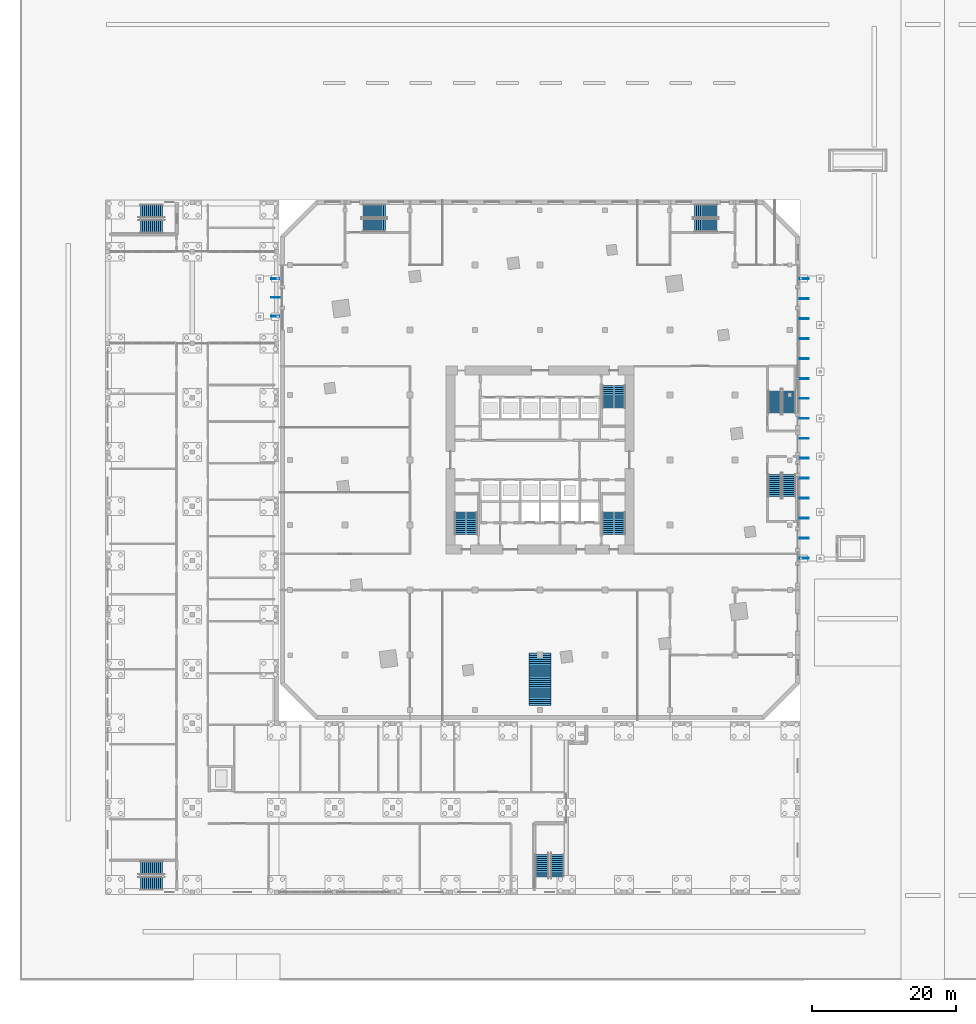
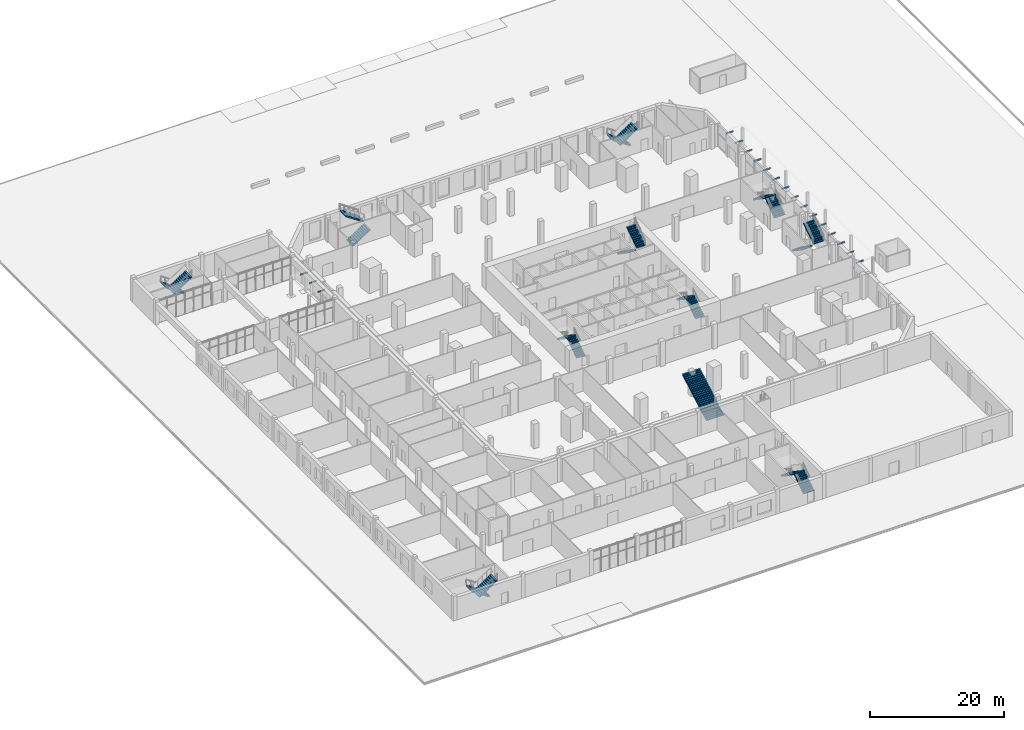
# One storey, part 34 of 42: 21 stair flights, 18 discrete accessories, 11 elements without a shape of their own.
"""IFC4 building model written with IfcOpenShell, lengths in metres."""

from ifc_helpers import new_model, si_unit, direction, frame, origin, origin_2d, place, context, subcontext, project, spatial, polyline, rectangle, outline, extrude, material, type_object, element, aggregate, save


model = new_model("IFC4")

# Units and contexts
model_context = context("Model", 3, precision=1e-05, world=origin(), true_north=direction((0.0, 1.0)))
body_context = subcontext(model_context, "Body", "Model", "MODEL_VIEW")
ifc_project = project(units=[si_unit("LENGTHUNIT", "METRE"), si_unit("AREAUNIT", "SQUARE_METRE"), si_unit("VOLUMEUNIT", "CUBIC_METRE"), si_unit("PLANEANGLEUNIT", "RADIAN"), si_unit("MASSUNIT", "GRAM", prefix="KILO")], contexts=[model_context])

# Site, building, storey
site_placement = place(None, origin())
site = spatial("IfcSite", under=ifc_project, at=site_placement, CompositionType="ELEMENT")
building_placement = place(site_placement, origin())
building = spatial("IfcBuilding", under=site, at=building_placement, Name="Dilmun Exchange Tower", CompositionType="ELEMENT")
storey_placement = place(building_placement, origin())
storey = spatial("IfcBuildingStorey", under=building, at=storey_placement, Name="L00", CompositionType="ELEMENT", Elevation=0.0)

# Stair, stair flights
ifc_material = material(Name="Concrete C40/50", Category="concrete")
stair_type_1 = type_object("IfcStairType", Name="Exit stair 1500 half-turn", PredefinedType="HALF_TURN_STAIR", material=ifc_material)
stair_1_placement = place(storey_placement, origin())
stair_1 = element("IfcStair", 1, at=stair_1_placement, inside=storey, type_object=stair_type_1, Name="L00 Protected exit stair ST1", PredefinedType="HALF_TURN_STAIR")
stair_flight_type_1 = type_object("IfcStairFlightType", Name="Exit stair flight 1500", PredefinedType="STRAIGHT", material=ifc_material)
stair_flight_1_placement = place(storey_placement, frame((9.39990234375, 10.300048828125, 0.0), z_axis=(0.0, 0.0, 1.0), x_axis=(0.0, -1.0, 0.0)))
stair_flight_1 = element("IfcStairFlight", 2, at=stair_flight_1_placement, type_object=stair_flight_type_1, Name="ST1 flight 1", NumberOfRisers=12, NumberOfTreads=11, PredefinedType="STRAIGHT", RiserHeight=0.1875, TreadLength=0.28, context=body_context, shape_type="SweptSolid", body=[
    extrude(outline(polyline([(0.0, 0.0), (0.0, 0.1875), (0.280029296875, 0.1875), (0.280029296875, 0.375), (0.56005859375, 0.375), (0.56005859375, 0.5625), (0.840087890625, 0.5625), (0.840087890625, 0.75), (1.1201171875, 0.75), (1.1201171875, 0.9375), (1.39990234375, 0.9375), (1.39990234375, 1.125), (1.679931640625, 1.125), (1.679931640625, 1.3125), (1.9599609375, 1.3125), (1.9599609375, 1.5), (2.239990234375, 1.5), (2.239990234375, 1.6875), (2.52001953125, 1.6875), (2.52001953125, 1.875), (2.800048828125, 1.875), (2.800048828125, 2.0625), (3.080078125, 2.0625), (3.080078125, 2.25), (3.080078125, 1.882080078125), (0.26953125, 0.0), (0.0, 0.0)])), frame((0.0, 0.75, 0.0), z_axis=(0.0, -1.0, 0.0), x_axis=(1.0, 0.0, 0.0)), (0.0, 0.0, 1.0), 1.5),
])
stair_flight_2_placement = place(storey_placement, frame((11.050048828125, 7.219970703125, 2.25), z_axis=(0.0, 0.0, 1.0), x_axis=(0.0, 1.0, 0.0)))
stair_flight_2 = element("IfcStairFlight", 3, at=stair_flight_2_placement, type_object=stair_flight_type_1, Name="ST1 flight 2", NumberOfRisers=12, NumberOfTreads=11, PredefinedType="STRAIGHT", RiserHeight=0.1875, TreadLength=0.28, context=body_context, shape_type="SweptSolid", body=[
    extrude(outline(polyline([(0.0, 0.0), (0.0, 0.1875), (0.280029296875, 0.1875), (0.280029296875, 0.375), (0.56005859375, 0.375), (0.56005859375, 0.5625), (0.840087890625, 0.5625), (0.840087890625, 0.75), (1.1201171875, 0.75), (1.1201171875, 0.9375), (1.39990234375, 0.9375), (1.39990234375, 1.125), (1.679931640625, 1.125), (1.679931640625, 1.3125), (1.9599609375, 1.3125), (1.9599609375, 1.5), (2.239990234375, 1.5), (2.239990234375, 1.6875), (2.52001953125, 1.6875), (2.52001953125, 1.875), (2.800048828125, 1.875), (2.800048828125, 2.0625), (3.080078125, 2.0625), (3.080078125, 2.25), (3.080078125, 1.882080078125), (0.26953125, 0.0), (0.0, 0.0)])), frame((0.0, 0.75, 0.0), z_axis=(0.0, -1.0, 0.0), x_axis=(1.0, 0.0, 0.0)), (0.0, 0.0, 1.0), 1.5),
])
aggregate(stair_1, [stair_flight_1, stair_flight_2])

stair_2_placement = place(storey_placement, origin())
stair_2 = element("IfcStair", 4, at=stair_2_placement, inside=storey, type_object=stair_type_1, Name="L00 Protected exit stair ST2", PredefinedType="HALF_TURN_STAIR")
stair_flight_3_placement = place(storey_placement, frame((-9.39990234375, -10.300048828125, 0.0), z_axis=(0.0, 0.0, 1.0), x_axis=(0.0, 1.0, 0.0)))
stair_flight_3 = element("IfcStairFlight", 5, at=stair_flight_3_placement, type_object=stair_flight_type_1, Name="ST2 flight 1", NumberOfRisers=12, NumberOfTreads=11, PredefinedType="STRAIGHT", RiserHeight=0.1875, TreadLength=0.28, context=body_context, shape_type="SweptSolid", body=[
    extrude(outline(polyline([(0.0, 0.0), (0.0, 0.1875), (0.280029296875, 0.1875), (0.280029296875, 0.375), (0.56005859375, 0.375), (0.56005859375, 0.5625), (0.840087890625, 0.5625), (0.840087890625, 0.75), (1.1201171875, 0.75), (1.1201171875, 0.9375), (1.39990234375, 0.9375), (1.39990234375, 1.125), (1.679931640625, 1.125), (1.679931640625, 1.3125), (1.9599609375, 1.3125), (1.9599609375, 1.5), (2.239990234375, 1.5), (2.239990234375, 1.6875), (2.52001953125, 1.6875), (2.52001953125, 1.875), (2.800048828125, 1.875), (2.800048828125, 2.0625), (3.080078125, 2.0625), (3.080078125, 2.25), (3.080078125, 1.882080078125), (0.26953125, 0.0), (0.0, 0.0)])), frame((0.0, 0.75, 0.0), z_axis=(0.0, -1.0, 0.0), x_axis=(1.0, 0.0, 0.0)), (0.0, 0.0, 1.0), 1.5),
])
stair_flight_4_placement = place(storey_placement, frame((-11.050048828125, -7.219970703125, 2.25), z_axis=(0.0, 0.0, 1.0), x_axis=(0.0, -1.0, 0.0)))
stair_flight_4 = element("IfcStairFlight", 6, at=stair_flight_4_placement, type_object=stair_flight_type_1, Name="ST2 flight 2", NumberOfRisers=12, NumberOfTreads=11, PredefinedType="STRAIGHT", RiserHeight=0.1875, TreadLength=0.28, context=body_context, shape_type="SweptSolid", body=[
    extrude(outline(polyline([(0.0, 0.0), (0.0, 0.1875), (0.280029296875, 0.1875), (0.280029296875, 0.375), (0.56005859375, 0.375), (0.56005859375, 0.5625), (0.840087890625, 0.5625), (0.840087890625, 0.75), (1.1201171875, 0.75), (1.1201171875, 0.9375), (1.39990234375, 0.9375), (1.39990234375, 1.125), (1.679931640625, 1.125), (1.679931640625, 1.3125), (1.9599609375, 1.3125), (1.9599609375, 1.5), (2.239990234375, 1.5), (2.239990234375, 1.6875), (2.52001953125, 1.6875), (2.52001953125, 1.875), (2.800048828125, 1.875), (2.800048828125, 2.0625), (3.080078125, 2.0625), (3.080078125, 2.25), (3.080078125, 1.882080078125), (0.26953125, 0.0), (0.0, 0.0)])), frame((0.0, 0.75, 0.0), z_axis=(0.0, -1.0, 0.0), x_axis=(1.0, 0.0, 0.0)), (0.0, 0.0, 1.0), 1.5),
])
aggregate(stair_2, [stair_flight_3, stair_flight_4])

stair_3_placement = place(storey_placement, origin())
stair_3 = element("IfcStair", 7, at=stair_3_placement, inside=storey, type_object=stair_type_1, Name="L00 Protected exit stair ST3", PredefinedType="HALF_TURN_STAIR")
stair_flight_5_placement = place(storey_placement, frame((11.050048828125, -10.300048828125, 0.0), z_axis=(0.0, 0.0, 1.0), x_axis=(0.0, 1.0, 0.0)))
stair_flight_5 = element("IfcStairFlight", 8, at=stair_flight_5_placement, type_object=stair_flight_type_1, Name="ST3 flight 1", NumberOfRisers=12, NumberOfTreads=11, PredefinedType="STRAIGHT", RiserHeight=0.1875, TreadLength=0.28, context=body_context, shape_type="SweptSolid", body=[
    extrude(outline(polyline([(0.0, 0.0), (0.0, 0.1875), (0.280029296875, 0.1875), (0.280029296875, 0.375), (0.56005859375, 0.375), (0.56005859375, 0.5625), (0.840087890625, 0.5625), (0.840087890625, 0.75), (1.1201171875, 0.75), (1.1201171875, 0.9375), (1.39990234375, 0.9375), (1.39990234375, 1.125), (1.679931640625, 1.125), (1.679931640625, 1.3125), (1.9599609375, 1.3125), (1.9599609375, 1.5), (2.239990234375, 1.5), (2.239990234375, 1.6875), (2.52001953125, 1.6875), (2.52001953125, 1.875), (2.800048828125, 1.875), (2.800048828125, 2.0625), (3.080078125, 2.0625), (3.080078125, 2.25), (3.080078125, 1.882080078125), (0.26953125, 0.0), (0.0, 0.0)])), frame((0.0, 0.75, 0.0), z_axis=(0.0, -1.0, 0.0), x_axis=(1.0, 0.0, 0.0)), (0.0, 0.0, 1.0), 1.5),
])
stair_flight_6_placement = place(storey_placement, frame((9.39990234375, -7.219970703125, 2.25), z_axis=(0.0, 0.0, 1.0), x_axis=(0.0, -1.0, 0.0)))
stair_flight_6 = element("IfcStairFlight", 9, at=stair_flight_6_placement, type_object=stair_flight_type_1, Name="ST3 flight 2", NumberOfRisers=12, NumberOfTreads=11, PredefinedType="STRAIGHT", RiserHeight=0.1875, TreadLength=0.28, context=body_context, shape_type="SweptSolid", body=[
    extrude(outline(polyline([(0.0, 0.0), (0.0, 0.1875), (0.280029296875, 0.1875), (0.280029296875, 0.375), (0.56005859375, 0.375), (0.56005859375, 0.5625), (0.840087890625, 0.5625), (0.840087890625, 0.75), (1.1201171875, 0.75), (1.1201171875, 0.9375), (1.39990234375, 0.9375), (1.39990234375, 1.125), (1.679931640625, 1.125), (1.679931640625, 1.3125), (1.9599609375, 1.3125), (1.9599609375, 1.5), (2.239990234375, 1.5), (2.239990234375, 1.6875), (2.52001953125, 1.6875), (2.52001953125, 1.875), (2.800048828125, 1.875), (2.800048828125, 2.0625), (3.080078125, 2.0625), (3.080078125, 2.25), (3.080078125, 1.882080078125), (0.26953125, 0.0), (0.0, 0.0)])), frame((0.0, 0.75, 0.0), z_axis=(0.0, -1.0, 0.0), x_axis=(1.0, 0.0, 0.0)), (0.0, 0.0, 1.0), 1.5),
])
aggregate(stair_3, [stair_flight_5, stair_flight_6])

# Stair, stair flight
stair_type_2 = type_object("IfcStairType", Name="Grand stair 3000", PredefinedType="STRAIGHT_RUN_STAIR", material=ifc_material)
stair_4_placement = place(storey_placement, origin())
stair_4 = element("IfcStair", 10, at=stair_4_placement, inside=storey, type_object=stair_type_2, Name="Grand stair to the exchange hall", PredefinedType="STRAIGHT_RUN_STAIR")
stair_flight_type_2 = type_object("IfcStairFlightType", Name="Grand stair flight 3000", PredefinedType="STRAIGHT", material=ifc_material)
stair_flight_7_placement = place(storey_placement, frame((0.0, -34.0, 0.0), z_axis=(0.0, 0.0, 1.0), x_axis=(0.0, 1.0, 0.0)))
stair_flight_7 = element("IfcStairFlight", 11, at=stair_flight_7_placement, type_object=stair_flight_type_2, Name="GS1 flight 1", NumberOfRisers=26, NumberOfTreads=25, PredefinedType="STRAIGHT", RiserHeight=0.166666667, TreadLength=0.29, context=body_context, shape_type="SweptSolid", body=[
    extrude(outline(polyline([(0.0, 0.0), (0.0, 0.166748046875), (0.2900390625, 0.166748046875), (0.2900390625, 0.333251953125), (0.580078125, 0.333251953125), (0.580078125, 0.5), (0.8701171875, 0.5), (0.8701171875, 0.666748046875), (1.159912109375, 0.666748046875), (1.159912109375, 0.833251953125), (1.449951171875, 0.833251953125), (1.449951171875, 1.0), (1.739990234375, 1.0), (1.739990234375, 1.166748046875), (2.030029296875, 1.166748046875), (2.030029296875, 1.333251953125), (2.320068359375, 1.333251953125), (2.320068359375, 1.5), (2.610107421875, 1.5), (2.610107421875, 1.666748046875), (2.89990234375, 1.666748046875), (2.89990234375, 1.833251953125), (3.18994140625, 1.833251953125), (3.18994140625, 2.0), (3.47998046875, 2.0), (3.47998046875, 2.166748046875), (3.77001953125, 2.166748046875), (3.77001953125, 2.333251953125), (4.06005859375, 2.333251953125), (4.06005859375, 2.5), (4.35009765625, 2.5), (4.35009765625, 2.666748046875), (4.639892578125, 2.666748046875), (4.639892578125, 2.833251953125), (4.929931640625, 2.833251953125), (4.929931640625, 3.0), (5.219970703125, 3.0), (5.219970703125, 3.166748046875), (5.510009765625, 3.166748046875), (5.510009765625, 3.333251953125), (5.800048828125, 3.333251953125), (5.800048828125, 3.5), (6.090087890625, 3.5), (6.090087890625, 3.666748046875), (6.3798828125, 3.666748046875), (6.3798828125, 3.833251953125), (6.669921875, 3.833251953125), (6.669921875, 4.0), (6.9599609375, 4.0), (6.9599609375, 4.166748046875), (7.25, 4.166748046875), (7.25, 4.333251953125), (7.25, 3.93603515625), (0.4013671875, 0.0), (0.0, 0.0)])), frame((0.0, 1.5, 0.0), z_axis=(0.0, -1.0, 0.0), x_axis=(1.0, 0.0, 0.0)), (0.0, 0.0, 1.0), 3.0),
])
aggregate(stair_4, [stair_flight_7])

# Stair, stair flights
stair_type_3 = type_object("IfcStairType", Name="Podium exit stair 1500", PredefinedType="HALF_TURN_STAIR", material=ifc_material)
stair_5_placement = place(storey_placement, origin())
stair_5 = element("IfcStair", 12, at=stair_5_placement, inside=storey, type_object=stair_type_3, Name="L00 Podium exit stair PS1", PredefinedType="HALF_TURN_STAIR")
stair_flight_type_3 = type_object("IfcStairFlightType", Name="Podium stair flight 1500", PredefinedType="STRAIGHT", material=ifc_material)
stair_flight_8_placement = place(storey_placement, frame((-24.5, 32.511962890625, 0.0), z_axis=(0.0, 0.0, 1.0), x_axis=(1.0, 0.0, 0.0)))
stair_flight_8 = element("IfcStairFlight", 13, at=stair_flight_8_placement, type_object=stair_flight_type_3, Name="PS1 flight 1", NumberOfRisers=12, NumberOfTreads=11, PredefinedType="STRAIGHT", RiserHeight=0.1875, TreadLength=0.28, context=body_context, shape_type="SweptSolid", body=[
    extrude(outline(polyline([(0.0, 0.0), (0.0, 0.1875), (0.280029296875, 0.1875), (0.280029296875, 0.375), (0.56005859375, 0.375), (0.56005859375, 0.5625), (0.840087890625, 0.5625), (0.840087890625, 0.75), (1.1201171875, 0.75), (1.1201171875, 0.9375), (1.39990234375, 0.9375), (1.39990234375, 1.125), (1.679931640625, 1.125), (1.679931640625, 1.3125), (1.9599609375, 1.3125), (1.9599609375, 1.5), (2.239990234375, 1.5), (2.239990234375, 1.6875), (2.52001953125, 1.6875), (2.52001953125, 1.875), (2.800048828125, 1.875), (2.800048828125, 2.0625), (3.080078125, 2.0625), (3.080078125, 2.25), (3.080078125, 1.882080078125), (0.26953125, 0.0), (0.0, 0.0)])), frame((0.0, 0.912109375, 0.0), z_axis=(0.0, -1.0, 0.0), x_axis=(1.0, 0.0, 0.0)), (0.0, 0.0, 1.0), 1.823974609375),
])
stair_flight_9_placement = place(storey_placement, frame((-21.419921875, 34.486083984375, 2.25), z_axis=(0.0, 0.0, 1.0), x_axis=(-1.0, 0.0, 0.0)))
stair_flight_9 = element("IfcStairFlight", 14, at=stair_flight_9_placement, type_object=stair_flight_type_3, Name="PS1 flight 2", NumberOfRisers=12, NumberOfTreads=11, PredefinedType="STRAIGHT", RiserHeight=0.1875, TreadLength=0.28, context=body_context, shape_type="SweptSolid", body=[
    extrude(outline(polyline([(0.0, 0.0), (0.0, 0.1875), (0.280029296875, 0.1875), (0.280029296875, 0.375), (0.56005859375, 0.375), (0.56005859375, 0.5625), (0.840087890625, 0.5625), (0.840087890625, 0.75), (1.1201171875, 0.75), (1.1201171875, 0.9375), (1.39990234375, 0.9375), (1.39990234375, 1.125), (1.679931640625, 1.125), (1.679931640625, 1.3125), (1.9599609375, 1.3125), (1.9599609375, 1.5), (2.239990234375, 1.5), (2.239990234375, 1.6875), (2.52001953125, 1.6875), (2.52001953125, 1.875), (2.800048828125, 1.875), (2.800048828125, 2.0625), (3.080078125, 2.0625), (3.080078125, 2.25), (3.080078125, 1.882080078125), (0.26953125, 0.0), (0.0, 0.0)])), frame((0.0, 0.912109375, 0.0), z_axis=(0.0, -1.0, 0.0), x_axis=(1.0, 0.0, 0.0)), (0.0, 0.0, 1.0), 1.823974609375),
])
aggregate(stair_5, [stair_flight_8, stair_flight_9])

stair_6_placement = place(storey_placement, origin())
stair_6 = element("IfcStair", 15, at=stair_6_placement, inside=storey, type_object=stair_type_3, Name="L00 Podium exit stair PS2", PredefinedType="HALF_TURN_STAIR")
stair_flight_10_placement = place(storey_placement, frame((24.5, 34.486083984375, 0.0), z_axis=(0.0, 0.0, 1.0), x_axis=(-1.0, 0.0, 0.0)))
stair_flight_10 = element("IfcStairFlight", 16, at=stair_flight_10_placement, type_object=stair_flight_type_3, Name="PS2 flight 1", NumberOfRisers=12, NumberOfTreads=11, PredefinedType="STRAIGHT", RiserHeight=0.1875, TreadLength=0.28, context=body_context, shape_type="SweptSolid", body=[
    extrude(outline(polyline([(0.0, 0.0), (0.0, 0.1875), (0.280029296875, 0.1875), (0.280029296875, 0.375), (0.56005859375, 0.375), (0.56005859375, 0.5625), (0.840087890625, 0.5625), (0.840087890625, 0.75), (1.1201171875, 0.75), (1.1201171875, 0.9375), (1.39990234375, 0.9375), (1.39990234375, 1.125), (1.679931640625, 1.125), (1.679931640625, 1.3125), (1.9599609375, 1.3125), (1.9599609375, 1.5), (2.239990234375, 1.5), (2.239990234375, 1.6875), (2.52001953125, 1.6875), (2.52001953125, 1.875), (2.800048828125, 1.875), (2.800048828125, 2.0625), (3.080078125, 2.0625), (3.080078125, 2.25), (3.080078125, 1.882080078125), (0.26953125, 0.0), (0.0, 0.0)])), frame((0.0, 0.912109375, 0.0), z_axis=(0.0, -1.0, 0.0), x_axis=(1.0, 0.0, 0.0)), (0.0, 0.0, 1.0), 1.823974609375),
])
stair_flight_11_placement = place(storey_placement, frame((21.419921875, 32.511962890625, 2.25), z_axis=(0.0, 0.0, 1.0), x_axis=(1.0, 0.0, 0.0)))
stair_flight_11 = element("IfcStairFlight", 17, at=stair_flight_11_placement, type_object=stair_flight_type_3, Name="PS2 flight 2", NumberOfRisers=12, NumberOfTreads=11, PredefinedType="STRAIGHT", RiserHeight=0.1875, TreadLength=0.28, context=body_context, shape_type="SweptSolid", body=[
    extrude(outline(polyline([(0.0, 0.0), (0.0, 0.1875), (0.280029296875, 0.1875), (0.280029296875, 0.375), (0.56005859375, 0.375), (0.56005859375, 0.5625), (0.840087890625, 0.5625), (0.840087890625, 0.75), (1.1201171875, 0.75), (1.1201171875, 0.9375), (1.39990234375, 0.9375), (1.39990234375, 1.125), (1.679931640625, 1.125), (1.679931640625, 1.3125), (1.9599609375, 1.3125), (1.9599609375, 1.5), (2.239990234375, 1.5), (2.239990234375, 1.6875), (2.52001953125, 1.6875), (2.52001953125, 1.875), (2.800048828125, 1.875), (2.800048828125, 2.0625), (3.080078125, 2.0625), (3.080078125, 2.25), (3.080078125, 1.882080078125), (0.26953125, 0.0), (0.0, 0.0)])), frame((0.0, 0.912109375, 0.0), z_axis=(0.0, -1.0, 0.0), x_axis=(1.0, 0.0, 0.0)), (0.0, 0.0, 1.0), 1.823974609375),
])
aggregate(stair_6, [stair_flight_10, stair_flight_11])

stair_7_placement = place(storey_placement, origin())
stair_7 = element("IfcStair", 18, at=stair_7_placement, inside=storey, type_object=stair_type_3, Name="L00 Podium exit stair PS3", PredefinedType="HALF_TURN_STAIR")
stair_flight_12_placement = place(storey_placement, frame((32.511962890625, -2.0, 0.0), z_axis=(0.0, 0.0, 1.0), x_axis=(0.0, -1.0, 0.0)))
stair_flight_12 = element("IfcStairFlight", 19, at=stair_flight_12_placement, type_object=stair_flight_type_3, Name="PS3 flight 1", NumberOfRisers=12, NumberOfTreads=11, PredefinedType="STRAIGHT", RiserHeight=0.1875, TreadLength=0.28, context=body_context, shape_type="SweptSolid", body=[
    extrude(outline(polyline([(0.0, 0.0), (0.0, 0.1875), (0.280029296875, 0.1875), (0.280029296875, 0.375), (0.56005859375, 0.375), (0.56005859375, 0.5625), (0.840087890625, 0.5625), (0.840087890625, 0.75), (1.1201171875, 0.75), (1.1201171875, 0.9375), (1.39990234375, 0.9375), (1.39990234375, 1.125), (1.679931640625, 1.125), (1.679931640625, 1.3125), (1.9599609375, 1.3125), (1.9599609375, 1.5), (2.239990234375, 1.5), (2.239990234375, 1.6875), (2.52001953125, 1.6875), (2.52001953125, 1.875), (2.800048828125, 1.875), (2.800048828125, 2.0625), (3.080078125, 2.0625), (3.080078125, 2.25), (3.080078125, 1.882080078125), (0.26953125, 0.0), (0.0, 0.0)])), frame((0.0, 0.912109375, 0.0), z_axis=(0.0, -1.0, 0.0), x_axis=(1.0, 0.0, 0.0)), (0.0, 0.0, 1.0), 1.823974609375),
])
stair_flight_13_placement = place(storey_placement, frame((34.486083984375, -5.080078125, 2.25), z_axis=(0.0, 0.0, 1.0), x_axis=(0.0, 1.0, 0.0)))
stair_flight_13 = element("IfcStairFlight", 20, at=stair_flight_13_placement, type_object=stair_flight_type_3, Name="PS3 flight 2", NumberOfRisers=12, NumberOfTreads=11, PredefinedType="STRAIGHT", RiserHeight=0.1875, TreadLength=0.28, context=body_context, shape_type="SweptSolid", body=[
    extrude(outline(polyline([(0.0, 0.0), (0.0, 0.1875), (0.280029296875, 0.1875), (0.280029296875, 0.375), (0.56005859375, 0.375), (0.56005859375, 0.5625), (0.840087890625, 0.5625), (0.840087890625, 0.75), (1.1201171875, 0.75), (1.1201171875, 0.9375), (1.39990234375, 0.9375), (1.39990234375, 1.125), (1.679931640625, 1.125), (1.679931640625, 1.3125), (1.9599609375, 1.3125), (1.9599609375, 1.5), (2.239990234375, 1.5), (2.239990234375, 1.6875), (2.52001953125, 1.6875), (2.52001953125, 1.875), (2.800048828125, 1.875), (2.800048828125, 2.0625), (3.080078125, 2.0625), (3.080078125, 2.25), (3.080078125, 1.882080078125), (0.26953125, 0.0), (0.0, 0.0)])), frame((0.0, 0.912109375, 0.0), z_axis=(0.0, -1.0, 0.0), x_axis=(1.0, 0.0, 0.0)), (0.0, 0.0, 1.0), 1.823974609375),
])
aggregate(stair_7, [stair_flight_12, stair_flight_13])

stair_8_placement = place(storey_placement, origin())
stair_8 = element("IfcStair", 21, at=stair_8_placement, inside=storey, type_object=stair_type_3, Name="L00 Podium exit stair PS4", PredefinedType="HALF_TURN_STAIR")
stair_flight_14_placement = place(storey_placement, frame((34.486083984375, 6.5, 0.0), z_axis=(0.0, 0.0, 1.0), x_axis=(0.0, 1.0, 0.0)))
stair_flight_14 = element("IfcStairFlight", 22, at=stair_flight_14_placement, type_object=stair_flight_type_3, Name="PS4 flight 1", NumberOfRisers=12, NumberOfTreads=11, PredefinedType="STRAIGHT", RiserHeight=0.1875, TreadLength=0.28, context=body_context, shape_type="SweptSolid", body=[
    extrude(outline(polyline([(0.0, 0.0), (0.0, 0.1875), (0.280029296875, 0.1875), (0.280029296875, 0.375), (0.56005859375, 0.375), (0.56005859375, 0.5625), (0.840087890625, 0.5625), (0.840087890625, 0.75), (1.1201171875, 0.75), (1.1201171875, 0.9375), (1.39990234375, 0.9375), (1.39990234375, 1.125), (1.679931640625, 1.125), (1.679931640625, 1.3125), (1.9599609375, 1.3125), (1.9599609375, 1.5), (2.239990234375, 1.5), (2.239990234375, 1.6875), (2.52001953125, 1.6875), (2.52001953125, 1.875), (2.800048828125, 1.875), (2.800048828125, 2.0625), (3.080078125, 2.0625), (3.080078125, 2.25), (3.080078125, 1.882080078125), (0.26953125, 0.0), (0.0, 0.0)])), frame((0.0, 0.912109375, 0.0), z_axis=(0.0, -1.0, 0.0), x_axis=(1.0, 0.0, 0.0)), (0.0, 0.0, 1.0), 1.823974609375),
])
stair_flight_15_placement = place(storey_placement, frame((32.511962890625, 9.580078125, 2.25), z_axis=(0.0, 0.0, 1.0), x_axis=(0.0, -1.0, 0.0)))
stair_flight_15 = element("IfcStairFlight", 23, at=stair_flight_15_placement, type_object=stair_flight_type_3, Name="PS4 flight 2", NumberOfRisers=12, NumberOfTreads=11, PredefinedType="STRAIGHT", RiserHeight=0.1875, TreadLength=0.28, context=body_context, shape_type="SweptSolid", body=[
    extrude(outline(polyline([(0.0, 0.0), (0.0, 0.1875), (0.280029296875, 0.1875), (0.280029296875, 0.375), (0.56005859375, 0.375), (0.56005859375, 0.5625), (0.840087890625, 0.5625), (0.840087890625, 0.75), (1.1201171875, 0.75), (1.1201171875, 0.9375), (1.39990234375, 0.9375), (1.39990234375, 1.125), (1.679931640625, 1.125), (1.679931640625, 1.3125), (1.9599609375, 1.3125), (1.9599609375, 1.5), (2.239990234375, 1.5), (2.239990234375, 1.6875), (2.52001953125, 1.6875), (2.52001953125, 1.875), (2.800048828125, 1.875), (2.800048828125, 2.0625), (3.080078125, 2.0625), (3.080078125, 2.25), (3.080078125, 1.882080078125), (0.26953125, 0.0), (0.0, 0.0)])), frame((0.0, 0.912109375, 0.0), z_axis=(0.0, -1.0, 0.0), x_axis=(1.0, 0.0, 0.0)), (0.0, 0.0, 1.0), 1.823974609375),
])
aggregate(stair_8, [stair_flight_14, stair_flight_15])

stair_type_4 = type_object("IfcStairType", Name="School exit stair 1850 wide", PredefinedType="HALF_TURN_STAIR", material=ifc_material)
stair_9_placement = place(storey_placement, origin())
stair_9 = element("IfcStair", 24, at=stair_9_placement, inside=storey, type_object=stair_type_4, Name="L00 Stair S1", PredefinedType="HALF_TURN_STAIR")
stair_flight_type_4 = type_object("IfcStairFlightType", Name="School stair flight 1850 wide", PredefinedType="STRAIGHT", material=ifc_material)
stair_flight_16_placement = place(storey_placement, frame((-52.25, 34.47509765625, 0.0), z_axis=(0.0, 0.0, 1.0), x_axis=(-1.0, 0.0, 0.0)))
stair_flight_16 = element("IfcStairFlight", 25, at=stair_flight_16_placement, type_object=stair_flight_type_4, Name="SCH-S1 flight 1", NumberOfRisers=12, NumberOfTreads=11, PredefinedType="STRAIGHT", RiserHeight=0.1875, TreadLength=0.28, context=body_context, shape_type="SweptSolid", body=[
    extrude(outline(polyline([(0.0, 0.0), (0.0, 0.1875), (0.280029296875, 0.1875), (0.280029296875, 0.375), (0.56005859375, 0.375), (0.56005859375, 0.5625), (0.840087890625, 0.5625), (0.840087890625, 0.75), (1.1201171875, 0.75), (1.1201171875, 0.9375), (1.39990234375, 0.9375), (1.39990234375, 1.125), (1.679931640625, 1.125), (1.679931640625, 1.3125), (1.9599609375, 1.3125), (1.9599609375, 1.5), (2.239990234375, 1.5), (2.239990234375, 1.6875), (2.52001953125, 1.6875), (2.52001953125, 1.875), (2.800048828125, 1.875), (2.800048828125, 2.0625), (3.080078125, 2.0625), (3.080078125, 2.25), (3.080078125, 1.882080078125), (0.26953125, 0.0), (0.0, 0.0)])), frame((0.0, 0.925048828125, 0.0), z_axis=(0.0, -1.0, 0.0), x_axis=(1.0, 0.0, 0.0)), (0.0, 0.0, 1.0), 1.85009765625),
])
stair_flight_17_placement = place(storey_placement, frame((-55.330078125, 32.324951171875, 2.25), z_axis=(0.0, 0.0, 1.0), x_axis=(1.0, 0.0, 0.0)))
stair_flight_17 = element("IfcStairFlight", 26, at=stair_flight_17_placement, type_object=stair_flight_type_4, Name="SCH-S1 flight 2", NumberOfRisers=12, NumberOfTreads=11, PredefinedType="STRAIGHT", RiserHeight=0.1875, TreadLength=0.28, context=body_context, shape_type="SweptSolid", body=[
    extrude(outline(polyline([(0.0, 0.0), (0.0, 0.1875), (0.280029296875, 0.1875), (0.280029296875, 0.375), (0.56005859375, 0.375), (0.56005859375, 0.5625), (0.840087890625, 0.5625), (0.840087890625, 0.75), (1.1201171875, 0.75), (1.1201171875, 0.9375), (1.39990234375, 0.9375), (1.39990234375, 1.125), (1.679931640625, 1.125), (1.679931640625, 1.3125), (1.9599609375, 1.3125), (1.9599609375, 1.5), (2.239990234375, 1.5), (2.239990234375, 1.6875), (2.52001953125, 1.6875), (2.52001953125, 1.875), (2.800048828125, 1.875), (2.800048828125, 2.0625), (3.080078125, 2.0625), (3.080078125, 2.25), (3.080078125, 1.882080078125), (0.26953125, 0.0), (0.0, 0.0)])), frame((0.0, 0.925048828125, 0.0), z_axis=(0.0, -1.0, 0.0), x_axis=(1.0, 0.0, 0.0)), (0.0, 0.0, 1.0), 1.85009765625),
])
aggregate(stair_9, [stair_flight_16, stair_flight_17])

stair_10_placement = place(storey_placement, origin())
stair_10 = element("IfcStair", 27, at=stair_10_placement, inside=storey, type_object=stair_type_4, Name="L00 Stair S2", PredefinedType="HALF_TURN_STAIR")
stair_flight_18_placement = place(storey_placement, frame((-52.25, -56.47509765625, 0.0), z_axis=(0.0, 0.0, 1.0), x_axis=(-1.0, 0.0, 0.0)))
stair_flight_18 = element("IfcStairFlight", 28, at=stair_flight_18_placement, type_object=stair_flight_type_4, Name="SCH-S2 flight 1", NumberOfRisers=12, NumberOfTreads=11, PredefinedType="STRAIGHT", RiserHeight=0.1875, TreadLength=0.28, context=body_context, shape_type="SweptSolid", body=[
    extrude(outline(polyline([(0.0, 0.0), (0.0, 0.1875), (0.280029296875, 0.1875), (0.280029296875, 0.375), (0.56005859375, 0.375), (0.56005859375, 0.5625), (0.840087890625, 0.5625), (0.840087890625, 0.75), (1.1201171875, 0.75), (1.1201171875, 0.9375), (1.39990234375, 0.9375), (1.39990234375, 1.125), (1.679931640625, 1.125), (1.679931640625, 1.3125), (1.9599609375, 1.3125), (1.9599609375, 1.5), (2.239990234375, 1.5), (2.239990234375, 1.6875), (2.52001953125, 1.6875), (2.52001953125, 1.875), (2.800048828125, 1.875), (2.800048828125, 2.0625), (3.080078125, 2.0625), (3.080078125, 2.25), (3.080078125, 1.882080078125), (0.26953125, 0.0), (0.0, 0.0)])), frame((0.0, 0.925048828125, 0.0), z_axis=(0.0, -1.0, 0.0), x_axis=(1.0, 0.0, 0.0)), (0.0, 0.0, 1.0), 1.85009765625),
])
stair_flight_19_placement = place(storey_placement, frame((-55.330078125, -58.625, 2.25), z_axis=(0.0, 0.0, 1.0), x_axis=(1.0, 0.0, 0.0)))
stair_flight_19 = element("IfcStairFlight", 29, at=stair_flight_19_placement, type_object=stair_flight_type_4, Name="SCH-S2 flight 2", NumberOfRisers=12, NumberOfTreads=11, PredefinedType="STRAIGHT", RiserHeight=0.1875, TreadLength=0.28, context=body_context, shape_type="SweptSolid", body=[
    extrude(outline(polyline([(0.0, 0.0), (0.0, 0.1875), (0.280029296875, 0.1875), (0.280029296875, 0.375), (0.56005859375, 0.375), (0.56005859375, 0.5625), (0.840087890625, 0.5625), (0.840087890625, 0.75), (1.1201171875, 0.75), (1.1201171875, 0.9375), (1.39990234375, 0.9375), (1.39990234375, 1.125), (1.679931640625, 1.125), (1.679931640625, 1.3125), (1.9599609375, 1.3125), (1.9599609375, 1.5), (2.239990234375, 1.5), (2.239990234375, 1.6875), (2.52001953125, 1.6875), (2.52001953125, 1.875), (2.800048828125, 1.875), (2.800048828125, 2.0625), (3.080078125, 2.0625), (3.080078125, 2.25), (3.080078125, 1.882080078125), (0.26953125, 0.0), (0.0, 0.0)])), frame((0.0, 0.925048828125, 0.0), z_axis=(0.0, -1.0, 0.0), x_axis=(1.0, 0.0, 0.0)), (0.0, 0.0, 1.0), 1.85009765625),
])
aggregate(stair_10, [stair_flight_18, stair_flight_19])

stair_11_placement = place(storey_placement, origin())
stair_11 = element("IfcStair", 30, at=stair_11_placement, inside=storey, type_object=stair_type_4, Name="L00 Stair S3", PredefinedType="HALF_TURN_STAIR")
stair_flight_20_placement = place(storey_placement, frame((2.4130859375, -57.7099609375, 0.0), z_axis=(0.0, 0.0, 1.0), x_axis=(0.0, 1.0, 0.0)))
stair_flight_20 = element("IfcStairFlight", 31, at=stair_flight_20_placement, type_object=stair_flight_type_4, Name="SCH-S3 flight 1", NumberOfRisers=12, NumberOfTreads=11, PredefinedType="STRAIGHT", RiserHeight=0.1875, TreadLength=0.28, context=body_context, shape_type="SweptSolid", body=[
    extrude(outline(polyline([(0.0, 0.0), (0.0, 0.1875), (0.280029296875, 0.1875), (0.280029296875, 0.375), (0.56005859375, 0.375), (0.56005859375, 0.5625), (0.840087890625, 0.5625), (0.840087890625, 0.75), (1.1201171875, 0.75), (1.1201171875, 0.9375), (1.39990234375, 0.9375), (1.39990234375, 1.125), (1.679931640625, 1.125), (1.679931640625, 1.3125), (1.9599609375, 1.3125), (1.9599609375, 1.5), (2.239990234375, 1.5), (2.239990234375, 1.6875), (2.52001953125, 1.6875), (2.52001953125, 1.875), (2.800048828125, 1.875), (2.800048828125, 2.0625), (3.080078125, 2.0625), (3.080078125, 2.25), (3.080078125, 1.882080078125), (0.26953125, 0.0), (0.0, 0.0)])), frame((0.0, 0.919921875, 0.0), z_axis=(0.0, -1.0, 0.0), x_axis=(1.0, 0.0, 0.0)), (0.0, 0.0, 1.0), 1.840087890625),
])
stair_flight_21_placement = place(storey_placement, frame((0.27294921875, -54.6298828125, 2.25), z_axis=(0.0, 0.0, 1.0), x_axis=(0.0, -1.0, 0.0)))
stair_flight_21 = element("IfcStairFlight", 32, at=stair_flight_21_placement, type_object=stair_flight_type_4, Name="SCH-S3 flight 2", NumberOfRisers=12, NumberOfTreads=11, PredefinedType="STRAIGHT", RiserHeight=0.1875, TreadLength=0.28, context=body_context, shape_type="SweptSolid", body=[
    extrude(outline(polyline([(0.0, 0.0), (0.0, 0.1875), (0.280029296875, 0.1875), (0.280029296875, 0.375), (0.56005859375, 0.375), (0.56005859375, 0.5625), (0.840087890625, 0.5625), (0.840087890625, 0.75), (1.1201171875, 0.75), (1.1201171875, 0.9375), (1.39990234375, 0.9375), (1.39990234375, 1.125), (1.679931640625, 1.125), (1.679931640625, 1.3125), (1.9599609375, 1.3125), (1.9599609375, 1.5), (2.239990234375, 1.5), (2.239990234375, 1.6875), (2.52001953125, 1.6875), (2.52001953125, 1.875), (2.800048828125, 1.875), (2.800048828125, 2.0625), (3.080078125, 2.0625), (3.080078125, 2.25), (3.080078125, 1.882080078125), (0.26953125, 0.0), (0.0, 0.0)])), frame((0.0, 0.919921875, 0.0), z_axis=(0.0, -1.0, 0.0), x_axis=(1.0, 0.0, 0.0)), (0.0, 0.0, 1.0), 1.840087890625),
])
aggregate(stair_11, [stair_flight_20, stair_flight_21])

# Discrete accessories
for number, where, z_axis, x_axis, name in (
    (33, (36.60009765625, -13.60009765625, 3.14990234375), (0.0, 0.0, 1.0), (1.0, 0.0, 0.0), "Canopy bracket 3.1"),
    (34, (36.60009765625, -10.835693359375, 3.14990234375), (0.0, 0.0, 1.0), (1.0, 0.0, 0.0), "Canopy bracket 3.2"),
    (35, (36.60009765625, -8.0712890625, 3.14990234375), (0.0, 0.0, 1.0), (1.0, 0.0, 0.0), "Canopy bracket 3.3"),
    (36, (36.60009765625, -5.30712890625, 3.14990234375), (0.0, 0.0, 1.0), (1.0, 0.0, 0.0), "Canopy bracket 3.4"),
    (37, (36.60009765625, -2.54296875, 3.14990234375), (0.0, 0.0, 1.0), (1.0, 0.0, 0.0), "Canopy bracket 3.5"),
    (38, (36.60009765625, 0.221435546875, 3.14990234375), (0.0, 0.0, 1.0), (1.0, 0.0, 0.0), "Canopy bracket 3.6"),
    (39, (36.60009765625, 2.985595703125, 3.14990234375), (0.0, 0.0, 1.0), (1.0, 0.0, 0.0), "Canopy bracket 3.7"),
    (40, (36.60009765625, 5.75, 3.14990234375), (0.0, 0.0, 1.0), (1.0, 0.0, 0.0), "Canopy bracket 3.8"),
    (41, (36.60009765625, 8.514404296875, 3.14990234375), (0.0, 0.0, 1.0), (1.0, 0.0, 0.0), "Canopy bracket 3.9"),
    (42, (36.60009765625, 11.278564453125, 3.14990234375), (0.0, 0.0, 1.0), (1.0, 0.0, 0.0), "Canopy bracket 3.10"),
    (43, (36.60009765625, 14.04296875, 3.14990234375), (0.0, 0.0, 1.0), (1.0, 0.0, 0.0), "Canopy bracket 3.11"),
    (44, (36.60009765625, 16.80712890625, 3.14990234375), (0.0, 0.0, 1.0), (1.0, 0.0, 0.0), "Canopy bracket 3.12"),
    (45, (36.60009765625, 19.5712890625, 3.14990234375), (0.0, 0.0, 1.0), (1.0, 0.0, 0.0), "Canopy bracket 3.13"),
    (46, (36.60009765625, 22.335693359375, 3.14990234375), (0.0, 0.0, 1.0), (1.0, 0.0, 0.0), "Canopy bracket 3.14"),
    (47, (36.60009765625, 25.10009765625, 3.14990234375), (0.0, 0.0, 1.0), (1.0, 0.0, 0.0), "Canopy bracket 3.15"),
    (48, (-36.60009765625, 25.10009765625, 3.14990234375), (0.0, 0.0, 1.0), (-1.0, 0.0, 0.0), "Canopy bracket 7.1"),
    (49, (-36.60009765625, 22.5, 3.14990234375), (0.0, 0.0, 1.0), (-1.0, 0.0, 0.0), "Canopy bracket 7.2"),
    (50, (-36.60009765625, 19.89990234375, 3.14990234375), (0.0, 0.0, 1.0), (-1.0, 0.0, 0.0), "Canopy bracket 7.3"),
):
    element("IfcDiscreteAccessory", number, at=place(storey_placement, frame(where, z_axis=z_axis, x_axis=x_axis)), inside=storey, Name=name, PredefinedType="BRACKET", context=body_context, shape_type="SweptSolid", body=[
        extrude(rectangle(XDim=1.199951171875, YDim=0.1201171875, at=origin_2d()), origin(), (0.0, 0.0, 1.0), 0.199951171875),
    ])

save(model, "model.ifc")
